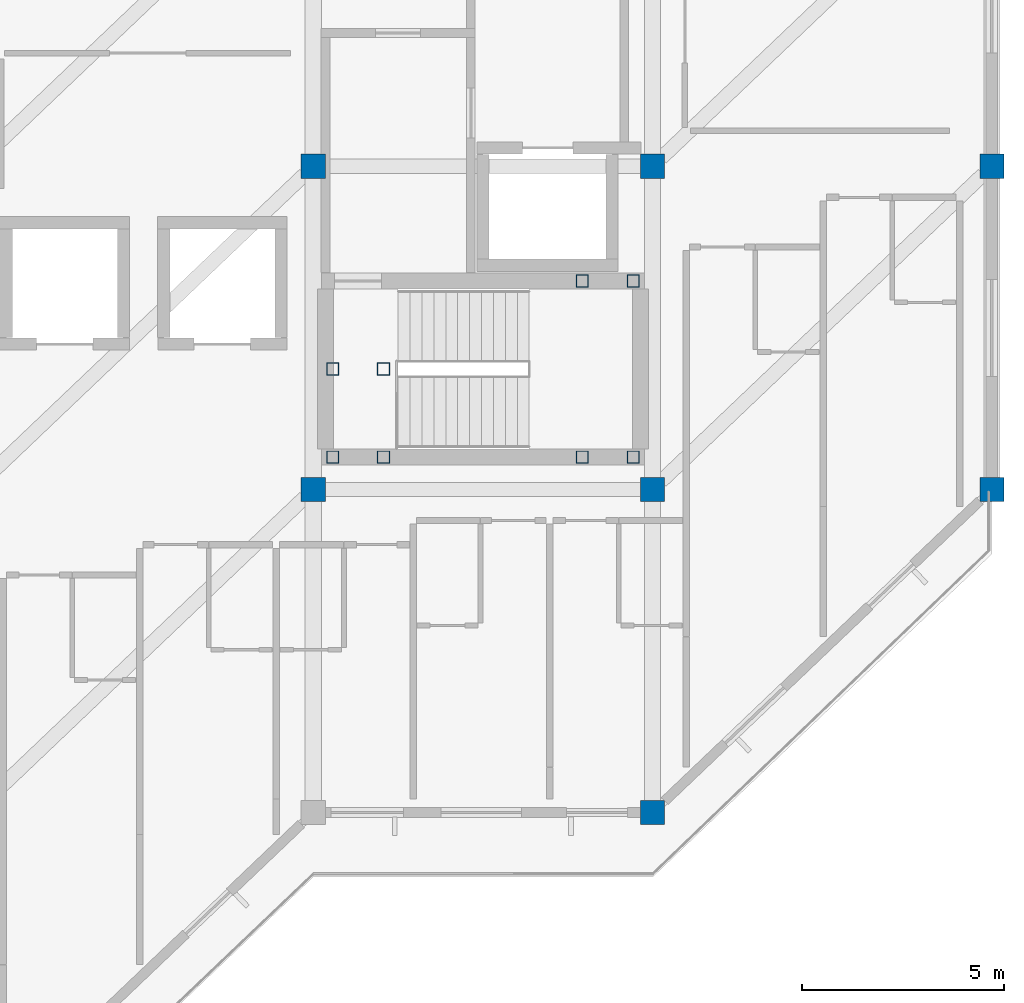
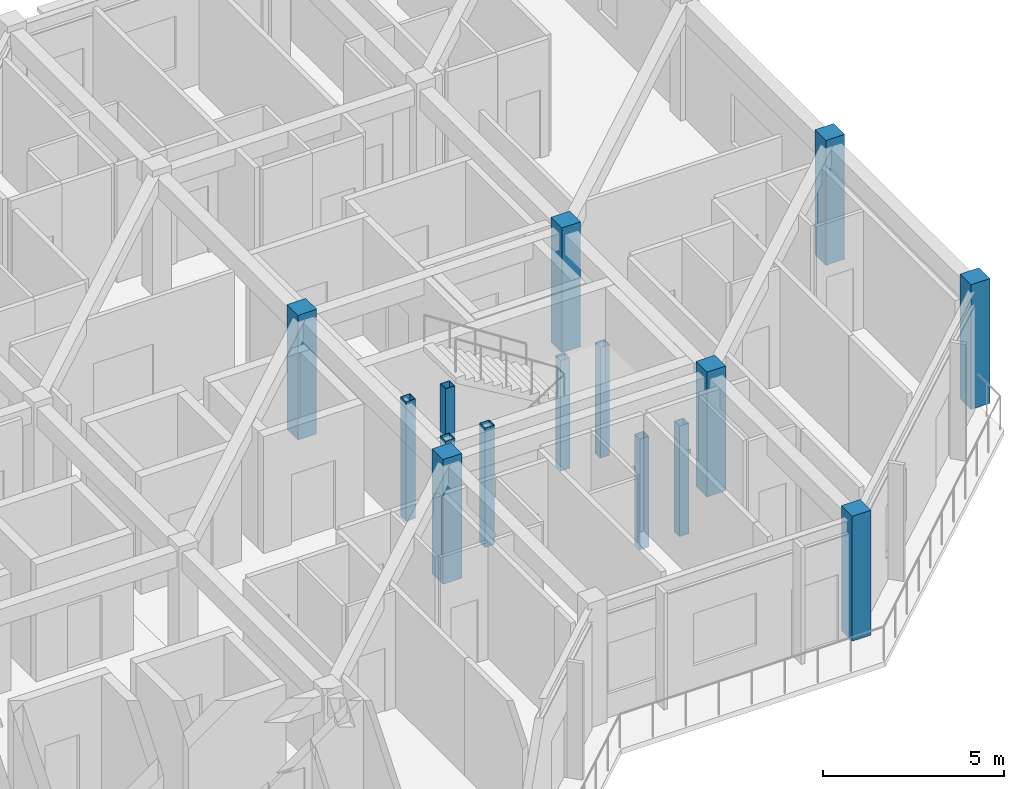
# One storey, part 2 of 13: 15 columns.
"""IFC4 building model written with IfcOpenShell, lengths in metres."""

from ifc_helpers import new_model, si_unit, direction, frame, origin, origin_2d, place, context, subcontext, project, spatial, rectangle, hollow_rectangle, extrude, material, material_profile, profile_set, type_object, element, save


model = new_model("IFC4")

# Units and contexts
model_context = context("Model", 3, precision=1e-05, world=origin(), true_north=direction((0.0, 1.0)))
body_context = subcontext(model_context, "Body", "Model", "MODEL_VIEW")
ifc_project = project(units=[si_unit("LENGTHUNIT", "METRE"), si_unit("AREAUNIT", "SQUARE_METRE"), si_unit("VOLUMEUNIT", "CUBIC_METRE"), si_unit("PLANEANGLEUNIT", "RADIAN"), si_unit("MASSUNIT", "GRAM", prefix="KILO")], contexts=[model_context])

# Site, building, storey
site_placement = place(None, origin())
site = spatial("IfcSite", under=ifc_project, at=site_placement, CompositionType="ELEMENT")
building_placement = place(site_placement, origin())
building = spatial("IfcBuilding", under=site, at=building_placement, Name="Naruveol Harbour Congress Hotel", CompositionType="ELEMENT")
storey_placement = place(building_placement, frame((0.0, 0.0, 43.199951171875)))
storey = spatial("IfcBuildingStorey", under=building, at=storey_placement, Name="L10", CompositionType="ELEMENT", Elevation=43.199951171875)

# Columns
ifc_material_1 = material(Name="Concrete C40/50", Category="concrete")
ifc_material_profile_1 = material_profile(ifc_material_1, rectangle(XDim=0.60009765625, YDim=0.60009765625, at=origin_2d()), Name="RC-600x600")
ifc_profile_set_1 = profile_set([ifc_material_profile_1], Name="Concrete C40/50")
column_type_1 = type_object("IfcColumnType", Name="RC UPPER COLUMN 600X600", PredefinedType="COLUMN", material=ifc_profile_set_1)
for number, where, z_axis, x_axis, name in (
    (1, (151.199951171875, 24.0, 0.0), (0.0, 0.0, 1.0), (1.0, 0.0, 0.0), "Column C-600 L10 (151.2,24.0)"),
    (2, (159.60009765625, 8.0, 0.0), (0.0, 0.0, 1.0), (1.0, 0.0, 0.0), "Column C-600 L10 (159.6,8.0)"),
    (3, (159.60009765625, 24.0, 0.0), (0.0, 0.0, 1.0), (1.0, 0.0, 0.0), "Column C-600 L10 (159.6,24.0)"),
    (4, (168.0, 16.0, 0.0), (0.0, 0.0, 1.0), (1.0, 0.0, 0.0), "Column C-600 L10 (168.0,16.0)"),
    (5, (151.199951171875, 16.0, 0.0), (0.0, 0.0, 1.0), (1.0, 0.0, 0.0), "Planted hotel column C-600 L10 S4/J1"),
    (6, (159.60009765625, 16.0, 0.0), (0.0, 0.0, 1.0), (1.0, 0.0, 0.0), "Planted hotel column C-600 L10 S5/J1"),
    (7, (168.0, 24.0, 0.0), (0.0, 0.0, 1.0), (1.0, 0.0, 0.0), "Planted hotel column C-600 L10 S6/J1"),
):
    element("IfcColumn", number, at=place(storey_placement, frame(where, z_axis=z_axis, x_axis=x_axis)), inside=storey, type_object=column_type_1, Name=name, PredefinedType="COLUMN", context=body_context, shape_type="SweptSolid", body=[
        extrude(rectangle(XDim=0.60009765625, YDim=0.60009765625, at=origin_2d()), origin(), (0.0, 0.0, 1.0), 4.199951171875),
    ])
ifc_material_2 = material(Name="Steel SN490", Category="steel")
ifc_material_profile_2 = material_profile(ifc_material_2, hollow_rectangle(XDim=0.300048828125, YDim=0.300048828125, WallThickness=0.011962890625, at=origin_2d()), Name="SHS-300x300x12")
ifc_profile_set_2 = profile_set([ifc_material_profile_2], Name="Steel SN490")
column_type_2 = type_object("IfcColumnType", Name="STEEL COLONNADE POST SHS300", PredefinedType="COLUMN", material=ifc_profile_set_2)
for number, where, z_axis, x_axis, name in (
    (8, (151.679931640625, 16.800048828125, 0.0), (0.0, 0.0, 1.0), (1.0, 0.0, 0.0), "Stair landing support post ST2W #108"),
    (9, (151.679931640625, 18.97998046875, 0.0), (0.0, 0.0, 1.0), (1.0, 0.0, 0.0), "Stair landing support post ST2W #120"),
    (10, (152.93994140625, 16.800048828125, 0.0), (0.0, 0.0, 1.0), (1.0, 0.0, 0.0), "Stair landing support post ST2W #132"),
    (11, (152.93994140625, 18.97998046875, 0.0), (0.0, 0.0, 1.0), (1.0, 0.0, 0.0), "Stair landing support post ST2W #144"),
):
    element("IfcColumn", number, at=place(storey_placement, frame(where, z_axis=z_axis, x_axis=x_axis)), inside=storey, type_object=column_type_2, Name=name, PredefinedType="COLUMN", context=body_context, shape_type="SweptSolid", body=[
        extrude(hollow_rectangle(XDim=0.300048828125, YDim=0.300048828125, WallThickness=0.011962890625, at=origin_2d()), origin(), (0.0, 0.0, 1.0), 4.02001953125),
    ])
for number, where, z_axis, x_axis, name in (
    (12, (157.860107421875, 16.800048828125, -1.800048828125), (0.0, 0.0, 1.0), (1.0, 0.0, 0.0), "Stair landing support post ST2E #156"),
    (13, (157.860107421875, 21.159912109375, -1.800048828125), (0.0, 0.0, 1.0), (1.0, 0.0, 0.0), "Stair landing support post ST2E #168"),
    (14, (159.1201171875, 16.800048828125, -1.800048828125), (0.0, 0.0, 1.0), (1.0, 0.0, 0.0), "Stair landing support post ST2E #180"),
    (15, (159.1201171875, 21.159912109375, -1.800048828125), (0.0, 0.0, 1.0), (1.0, 0.0, 0.0), "Stair landing support post ST2E #192"),
):
    element("IfcColumn", number, at=place(storey_placement, frame(where, z_axis=z_axis, x_axis=x_axis)), inside=storey, type_object=column_type_2, Name=name, PredefinedType="COLUMN", context=body_context, shape_type="SweptSolid", body=[
        extrude(hollow_rectangle(XDim=0.300048828125, YDim=0.300048828125, WallThickness=0.011962890625, at=origin_2d()), origin(), (0.0, 0.0, 1.0), 3.72021484375),
    ])

save(model, "model.ifc")
